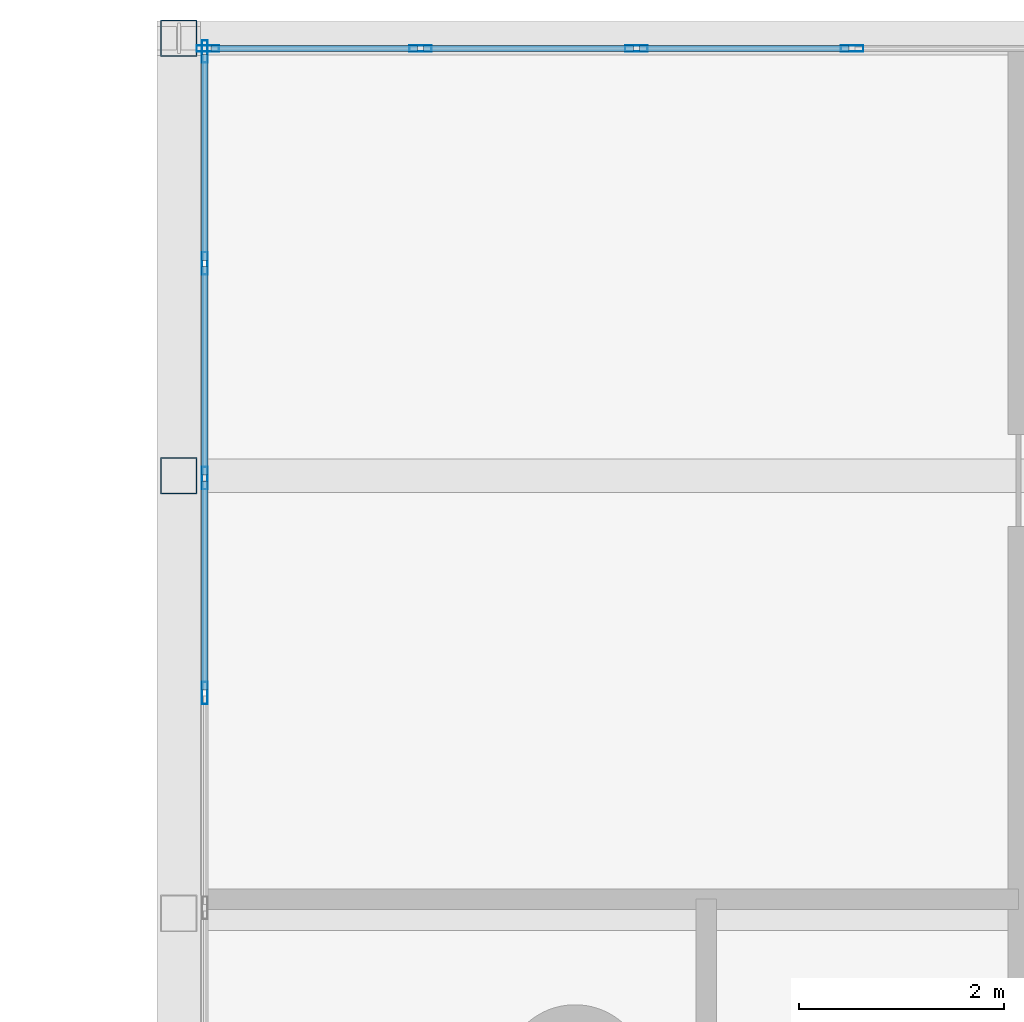
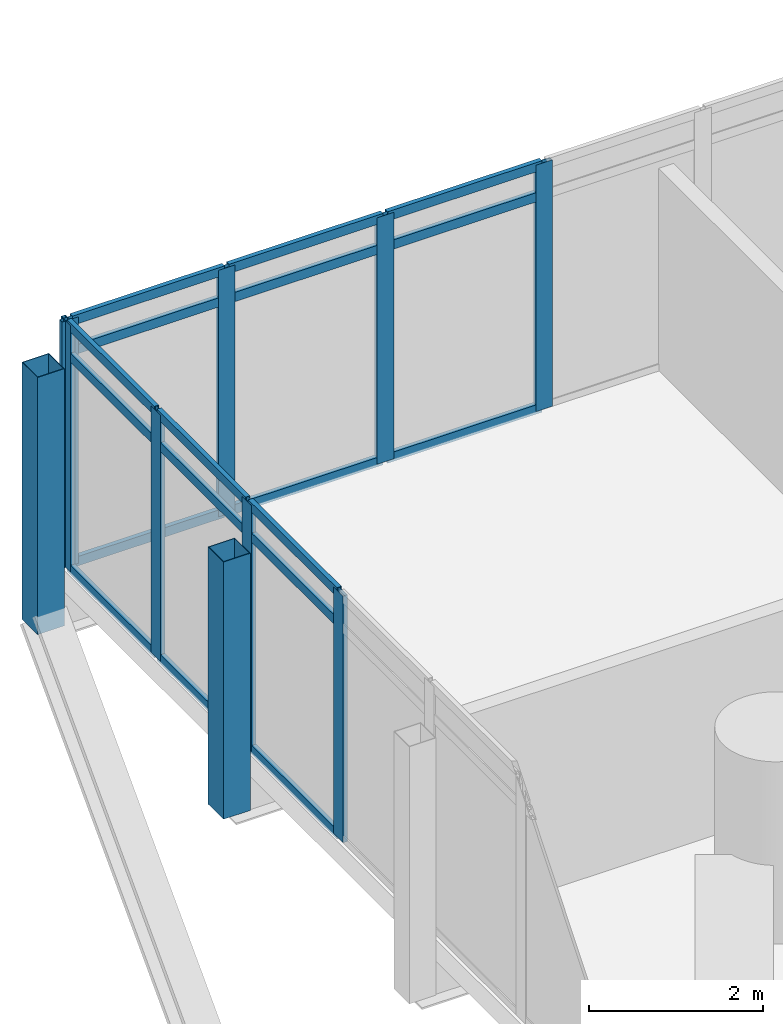
# One storey, part 18 of 38: 28 members, 2 elements without a shape of their own.
"""IFC4 building model written with IfcOpenShell, lengths in metres."""

from ifc_helpers import new_model, si_unit, direction, frame, origin, origin_2d, place, context, subcontext, project, spatial, hollow_rectangle, extrude, material, material_profile, profile_set, type_object, element, aggregate, save


model = new_model("IFC4")

# Units and contexts
model_context = context("Model", 3, precision=1e-05, world=origin(), true_north=direction((0.0, 1.0)))
body_context = subcontext(model_context, "Body", "Model", "MODEL_VIEW")
ifc_project = project(units=[si_unit("LENGTHUNIT", "METRE"), si_unit("AREAUNIT", "SQUARE_METRE"), si_unit("VOLUMEUNIT", "CUBIC_METRE"), si_unit("PLANEANGLEUNIT", "RADIAN"), si_unit("MASSUNIT", "GRAM", prefix="KILO")], contexts=[model_context])

# Site, building, storey
site_placement = place(None, origin())
site = spatial("IfcSite", under=ifc_project, at=site_placement, CompositionType="ELEMENT")
building_placement = place(site_placement, origin())
building = spatial("IfcBuilding", under=site, at=building_placement, Name="Ostrander Bayou Hotel Tower", CompositionType="ELEMENT")
storey_placement = place(building_placement, frame((0.0, 0.0, 65.5)))
storey = spatial("IfcBuildingStorey", under=building, at=storey_placement, Name="L16", CompositionType="ELEMENT", Elevation=65.5)

# Curtain wall, members
ifc_material_1 = material(Name="Aluminium and clear glass", Category="aluminium")
curtain_wall_type = type_object("IfcCurtainWallType", Name="CW-BAR glazed wall", PredefinedType="NOTDEFINED", material=ifc_material_1)
curtain_wall_1_placement = place(storey_placement, origin())
curtain_wall_1 = element("IfcCurtainWall", 1, at=curtain_wall_1_placement, inside=storey, type_object=curtain_wall_type, Name="CW-BAR L16:SB1N:E", PredefinedType="NOTDEFINED")
ifc_material_2 = material(Name="Aluminium", Category="aluminium")
ifc_material_profile_1 = material_profile(ifc_material_2, hollow_rectangle(XDim=0.06005859375, YDim=0.219970703125, WallThickness=0.00390625, at=origin_2d()))
ifc_profile_set_1 = profile_set([ifc_material_profile_1], Name="Aluminium")
member_type_1 = type_object("IfcMemberType", Name="CW-BR mullion 60 x 220 mm", PredefinedType="MULLION", material=ifc_profile_set_1)
member_1_placement = place(storey_placement, frame((-14.712158203125, 24.60888671875, 0.0), z_axis=(0.0, 0.0, 1.0), x_axis=(-1.0, 0.0, 0.0)))
member_1 = element("IfcMember", 2, at=member_1_placement, type_object=member_type_1, Name="CW-BAR mullion 6", PredefinedType="MULLION", context=body_context, shape_type="SweptSolid", body=[
    extrude(hollow_rectangle(XDim=0.06005859375, YDim=0.219970703125, WallThickness=0.00390625, at=origin_2d()), origin(), (0.0, 0.0, 1.0), 3.449951171875),
])
member_2_placement = place(storey_placement, frame((-14.712158203125, 26.701416015625, 0.0), z_axis=(0.0, 0.0, 1.0), x_axis=(-1.0, 0.0, 0.0)))
member_2 = element("IfcMember", 3, at=member_2_placement, type_object=member_type_1, Name="CW-BAR mullion 7", PredefinedType="MULLION", context=body_context, shape_type="SweptSolid", body=[
    extrude(hollow_rectangle(XDim=0.06005859375, YDim=0.219970703125, WallThickness=0.00390625, at=origin_2d()), origin(), (0.0, 0.0, 1.0), 3.449951171875),
])
member_3_placement = place(storey_placement, frame((-14.712158203125, 28.793701171875, 0.0), z_axis=(0.0, 0.0, 1.0), x_axis=(-1.0, 0.0, 0.0)))
member_3 = element("IfcMember", 4, at=member_3_placement, type_object=member_type_1, Name="CW-BAR mullion 8", PredefinedType="MULLION", context=body_context, shape_type="SweptSolid", body=[
    extrude(hollow_rectangle(XDim=0.06005859375, YDim=0.219970703125, WallThickness=0.00390625, at=origin_2d()), origin(), (0.0, 0.0, 1.0), 3.449951171875),
])
member_4_placement = place(storey_placement, frame((-14.712158203125, 30.856201171875, 0.0), z_axis=(0.0, 0.0, 1.0), x_axis=(-1.0, 0.0, 0.0)))
member_4 = element("IfcMember", 5, at=member_4_placement, type_object=member_type_1, Name="CW-BAR mullion 9", PredefinedType="MULLION", context=body_context, shape_type="SweptSolid", body=[
    extrude(hollow_rectangle(XDim=0.06005859375, YDim=0.219970703125, WallThickness=0.00390625, at=origin_2d()), origin(), (0.0, 0.0, 1.0), 3.449951171875),
])

curtain_wall_2_placement = place(storey_placement, origin())
curtain_wall_2 = element("IfcCurtainWall", 6, at=curtain_wall_2_placement, inside=storey, type_object=curtain_wall_type, Name="CW-BAR L16:SB1N:T", PredefinedType="NOTDEFINED")
member_5_placement = place(storey_placement, frame((-14.68212890625, 30.88623046875, 0.0), z_axis=(0.0, 0.0, 1.0), x_axis=(0.0, 1.0, 0.0)))
member_5 = element("IfcMember", 7, at=member_5_placement, type_object=member_type_1, Name="CW-BAR mullion 1", PredefinedType="MULLION", context=body_context, shape_type="SweptSolid", body=[
    extrude(hollow_rectangle(XDim=0.06005859375, YDim=0.219970703125, WallThickness=0.00390625, at=origin_2d()), origin(), (0.0, 0.0, 1.0), 3.449951171875),
])
member_6_placement = place(storey_placement, frame((-12.6103515625, 30.88623046875, 0.0), z_axis=(0.0, 0.0, 1.0), x_axis=(0.0, 1.0, 0.0)))
member_6 = element("IfcMember", 8, at=member_6_placement, type_object=member_type_1, Name="CW-BAR mullion 2", PredefinedType="MULLION", context=body_context, shape_type="SweptSolid", body=[
    extrude(hollow_rectangle(XDim=0.06005859375, YDim=0.219970703125, WallThickness=0.00390625, at=origin_2d()), origin(), (0.0, 0.0, 1.0), 3.449951171875),
])
member_7_placement = place(storey_placement, frame((-10.5087890625, 30.88623046875, 0.0), z_axis=(0.0, 0.0, 1.0), x_axis=(0.0, 1.0, 0.0)))
member_7 = element("IfcMember", 9, at=member_7_placement, type_object=member_type_1, Name="CW-BAR mullion 3", PredefinedType="MULLION", context=body_context, shape_type="SweptSolid", body=[
    extrude(hollow_rectangle(XDim=0.06005859375, YDim=0.219970703125, WallThickness=0.00390625, at=origin_2d()), origin(), (0.0, 0.0, 1.0), 3.449951171875),
])
member_8_placement = place(storey_placement, frame((-8.406982421875, 30.88623046875, 0.0), z_axis=(0.0, 0.0, 1.0), x_axis=(0.0, 1.0, 0.0)))
member_8 = element("IfcMember", 10, at=member_8_placement, type_object=member_type_1, Name="CW-BAR mullion 4", PredefinedType="MULLION", context=body_context, shape_type="SweptSolid", body=[
    extrude(hollow_rectangle(XDim=0.06005859375, YDim=0.219970703125, WallThickness=0.00390625, at=origin_2d()), origin(), (0.0, 0.0, 1.0), 3.449951171875),
])

# Member
ifc_material_3 = material(Name="Aluminium", Category="aluminium")
ifc_material_profile_2 = material_profile(ifc_material_3, hollow_rectangle(XDim=0.06005859375, YDim=0.1298828125, WallThickness=0.00390625, at=origin_2d()))
ifc_profile_set_2 = profile_set([ifc_material_profile_2], Name="Aluminium")
member_type_2 = type_object("IfcMemberType", Name="CW-BR transom 60 x 130 mm", PredefinedType="USERDEFINED", material=ifc_profile_set_2)
member_9_placement = place(storey_placement, frame((-14.712158203125, 24.638916015625, 0.030029296875), z_axis=(0.0, 1.0, 0.0), x_axis=(-1.0, 0.0, 0.0)))
member_9 = element("IfcMember", 11, at=member_9_placement, type_object=member_type_2, Name="CW-BAR transom 6.1", ObjectType="TRANSOM", PredefinedType="USERDEFINED", context=body_context, shape_type="SweptSolid", body=[
    extrude(hollow_rectangle(XDim=0.06005859375, YDim=0.1298828125, WallThickness=0.00390625, at=origin_2d()), origin(), (0.0, 0.0, 1.0), 2.032470703125),
])

member_10_placement = place(storey_placement, frame((-14.712158203125, 24.638916015625, 3.0), z_axis=(0.0, 1.0, 0.0), x_axis=(-1.0, 0.0, 0.0)))
member_10 = element("IfcMember", 12, at=member_10_placement, type_object=member_type_2, Name="CW-BAR transom 6.2", ObjectType="TRANSOM", PredefinedType="USERDEFINED", context=body_context, shape_type="SweptSolid", body=[
    extrude(hollow_rectangle(XDim=0.06005859375, YDim=0.1298828125, WallThickness=0.00390625, at=origin_2d()), origin(), (0.0, 0.0, 1.0), 2.032470703125),
])

member_11_placement = place(storey_placement, frame((-14.712158203125, 24.638916015625, 3.419921875), z_axis=(0.0, 1.0, 0.0), x_axis=(-1.0, 0.0, 0.0)))
member_11 = element("IfcMember", 13, at=member_11_placement, type_object=member_type_2, Name="CW-BAR transom 6.3", ObjectType="TRANSOM", PredefinedType="USERDEFINED", context=body_context, shape_type="SweptSolid", body=[
    extrude(hollow_rectangle(XDim=0.06005859375, YDim=0.1298828125, WallThickness=0.00390625, at=origin_2d()), origin(), (0.0, 0.0, 1.0), 2.032470703125),
])

member_12_placement = place(storey_placement, frame((-14.712158203125, 26.7314453125, 0.030029296875), z_axis=(0.0, 1.0, 0.0), x_axis=(-1.0, 0.0, 0.0)))
member_12 = element("IfcMember", 14, at=member_12_placement, type_object=member_type_2, Name="CW-BAR transom 7.1", ObjectType="TRANSOM", PredefinedType="USERDEFINED", context=body_context, shape_type="SweptSolid", body=[
    extrude(hollow_rectangle(XDim=0.06005859375, YDim=0.1298828125, WallThickness=0.00390625, at=origin_2d()), origin(), (0.0, 0.0, 1.0), 2.0322265625),
])

member_13_placement = place(storey_placement, frame((-14.712158203125, 26.7314453125, 3.0), z_axis=(0.0, 1.0, 0.0), x_axis=(-1.0, 0.0, 0.0)))
member_13 = element("IfcMember", 15, at=member_13_placement, type_object=member_type_2, Name="CW-BAR transom 7.2", ObjectType="TRANSOM", PredefinedType="USERDEFINED", context=body_context, shape_type="SweptSolid", body=[
    extrude(hollow_rectangle(XDim=0.06005859375, YDim=0.1298828125, WallThickness=0.00390625, at=origin_2d()), origin(), (0.0, 0.0, 1.0), 2.0322265625),
])

member_14_placement = place(storey_placement, frame((-14.712158203125, 26.7314453125, 3.419921875), z_axis=(0.0, 1.0, 0.0), x_axis=(-1.0, 0.0, 0.0)))
member_14 = element("IfcMember", 16, at=member_14_placement, type_object=member_type_2, Name="CW-BAR transom 7.3", ObjectType="TRANSOM", PredefinedType="USERDEFINED", context=body_context, shape_type="SweptSolid", body=[
    extrude(hollow_rectangle(XDim=0.06005859375, YDim=0.1298828125, WallThickness=0.00390625, at=origin_2d()), origin(), (0.0, 0.0, 1.0), 2.0322265625),
])

member_15_placement = place(storey_placement, frame((-14.712158203125, 28.82373046875, 0.030029296875), z_axis=(0.0, 1.0, 0.0), x_axis=(-1.0, 0.0, 0.0)))
member_15 = element("IfcMember", 17, at=member_15_placement, type_object=member_type_2, Name="CW-BAR transom 8.1", ObjectType="TRANSOM", PredefinedType="USERDEFINED", context=body_context, shape_type="SweptSolid", body=[
    extrude(hollow_rectangle(XDim=0.06005859375, YDim=0.1298828125, WallThickness=0.00390625, at=origin_2d()), origin(), (0.0, 0.0, 1.0), 2.00244140625),
])

member_16_placement = place(storey_placement, frame((-14.712158203125, 28.82373046875, 3.0), z_axis=(0.0, 1.0, 0.0), x_axis=(-1.0, 0.0, 0.0)))
member_16 = element("IfcMember", 18, at=member_16_placement, type_object=member_type_2, Name="CW-BAR transom 8.2", ObjectType="TRANSOM", PredefinedType="USERDEFINED", context=body_context, shape_type="SweptSolid", body=[
    extrude(hollow_rectangle(XDim=0.06005859375, YDim=0.1298828125, WallThickness=0.00390625, at=origin_2d()), origin(), (0.0, 0.0, 1.0), 2.00244140625),
])

member_17_placement = place(storey_placement, frame((-14.712158203125, 28.82373046875, 3.419921875), z_axis=(0.0, 1.0, 0.0), x_axis=(-1.0, 0.0, 0.0)))
member_17 = element("IfcMember", 19, at=member_17_placement, type_object=member_type_2, Name="CW-BAR transom 8.3", ObjectType="TRANSOM", PredefinedType="USERDEFINED", context=body_context, shape_type="SweptSolid", body=[
    extrude(hollow_rectangle(XDim=0.06005859375, YDim=0.1298828125, WallThickness=0.00390625, at=origin_2d()), origin(), (0.0, 0.0, 1.0), 2.00244140625),
])

aggregate(curtain_wall_1, [member_1, member_2, member_3, member_4, member_9, member_10, member_11, member_12, member_13, member_14, member_15, member_16, member_17])

member_18_placement = place(storey_placement, frame((-14.652099609375, 30.88623046875, 0.030029296875), z_axis=(1.0, 0.0, 0.0), x_axis=(0.0, 1.0, 0.0)))
member_18 = element("IfcMember", 20, at=member_18_placement, type_object=member_type_2, Name="CW-BAR transom 1.1", ObjectType="TRANSOM", PredefinedType="USERDEFINED", context=body_context, shape_type="SweptSolid", body=[
    extrude(hollow_rectangle(XDim=0.06005859375, YDim=0.1298828125, WallThickness=0.00390625, at=origin_2d()), origin(), (0.0, 0.0, 1.0), 2.01171875),
])

member_19_placement = place(storey_placement, frame((-14.652099609375, 30.88623046875, 3.0), z_axis=(1.0, 0.0, 0.0), x_axis=(0.0, 1.0, 0.0)))
member_19 = element("IfcMember", 21, at=member_19_placement, type_object=member_type_2, Name="CW-BAR transom 1.2", ObjectType="TRANSOM", PredefinedType="USERDEFINED", context=body_context, shape_type="SweptSolid", body=[
    extrude(hollow_rectangle(XDim=0.06005859375, YDim=0.1298828125, WallThickness=0.00390625, at=origin_2d()), origin(), (0.0, 0.0, 1.0), 2.01171875),
])

member_20_placement = place(storey_placement, frame((-14.652099609375, 30.88623046875, 3.419921875), z_axis=(1.0, 0.0, 0.0), x_axis=(0.0, 1.0, 0.0)))
member_20 = element("IfcMember", 22, at=member_20_placement, type_object=member_type_2, Name="CW-BAR transom 1.3", ObjectType="TRANSOM", PredefinedType="USERDEFINED", context=body_context, shape_type="SweptSolid", body=[
    extrude(hollow_rectangle(XDim=0.06005859375, YDim=0.1298828125, WallThickness=0.00390625, at=origin_2d()), origin(), (0.0, 0.0, 1.0), 2.01171875),
])

member_21_placement = place(storey_placement, frame((-12.58056640625, 30.88623046875, 0.030029296875), z_axis=(1.0, 0.0, 0.0), x_axis=(0.0, 1.0, 0.0)))
member_21 = element("IfcMember", 23, at=member_21_placement, type_object=member_type_2, Name="CW-BAR transom 2.1", ObjectType="TRANSOM", PredefinedType="USERDEFINED", context=body_context, shape_type="SweptSolid", body=[
    extrude(hollow_rectangle(XDim=0.06005859375, YDim=0.1298828125, WallThickness=0.00390625, at=origin_2d()), origin(), (0.0, 0.0, 1.0), 2.041748046875),
])

member_22_placement = place(storey_placement, frame((-12.58056640625, 30.88623046875, 3.0), z_axis=(1.0, 0.0, 0.0), x_axis=(0.0, 1.0, 0.0)))
member_22 = element("IfcMember", 24, at=member_22_placement, type_object=member_type_2, Name="CW-BAR transom 2.2", ObjectType="TRANSOM", PredefinedType="USERDEFINED", context=body_context, shape_type="SweptSolid", body=[
    extrude(hollow_rectangle(XDim=0.06005859375, YDim=0.1298828125, WallThickness=0.00390625, at=origin_2d()), origin(), (0.0, 0.0, 1.0), 2.041748046875),
])

member_23_placement = place(storey_placement, frame((-12.58056640625, 30.88623046875, 3.419921875), z_axis=(1.0, 0.0, 0.0), x_axis=(0.0, 1.0, 0.0)))
member_23 = element("IfcMember", 25, at=member_23_placement, type_object=member_type_2, Name="CW-BAR transom 2.3", ObjectType="TRANSOM", PredefinedType="USERDEFINED", context=body_context, shape_type="SweptSolid", body=[
    extrude(hollow_rectangle(XDim=0.06005859375, YDim=0.1298828125, WallThickness=0.00390625, at=origin_2d()), origin(), (0.0, 0.0, 1.0), 2.041748046875),
])

member_24_placement = place(storey_placement, frame((-10.478759765625, 30.88623046875, 0.030029296875), z_axis=(1.0, 0.0, 0.0), x_axis=(0.0, 1.0, 0.0)))
member_24 = element("IfcMember", 26, at=member_24_placement, type_object=member_type_2, Name="CW-BAR transom 3.1", ObjectType="TRANSOM", PredefinedType="USERDEFINED", context=body_context, shape_type="SweptSolid", body=[
    extrude(hollow_rectangle(XDim=0.06005859375, YDim=0.1298828125, WallThickness=0.00390625, at=origin_2d()), origin(), (0.0, 0.0, 1.0), 2.041748046875),
])

member_25_placement = place(storey_placement, frame((-10.478759765625, 30.88623046875, 3.0), z_axis=(1.0, 0.0, 0.0), x_axis=(0.0, 1.0, 0.0)))
member_25 = element("IfcMember", 27, at=member_25_placement, type_object=member_type_2, Name="CW-BAR transom 3.2", ObjectType="TRANSOM", PredefinedType="USERDEFINED", context=body_context, shape_type="SweptSolid", body=[
    extrude(hollow_rectangle(XDim=0.06005859375, YDim=0.1298828125, WallThickness=0.00390625, at=origin_2d()), origin(), (0.0, 0.0, 1.0), 2.041748046875),
])

member_26_placement = place(storey_placement, frame((-10.478759765625, 30.88623046875, 3.419921875), z_axis=(1.0, 0.0, 0.0), x_axis=(0.0, 1.0, 0.0)))
member_26 = element("IfcMember", 28, at=member_26_placement, type_object=member_type_2, Name="CW-BAR transom 3.3", ObjectType="TRANSOM", PredefinedType="USERDEFINED", context=body_context, shape_type="SweptSolid", body=[
    extrude(hollow_rectangle(XDim=0.06005859375, YDim=0.1298828125, WallThickness=0.00390625, at=origin_2d()), origin(), (0.0, 0.0, 1.0), 2.041748046875),
])

aggregate(curtain_wall_2, [member_5, member_6, member_7, member_8, member_18, member_19, member_20, member_21, member_22, member_23, member_24, member_25, member_26])

# Members
ifc_material_4 = material(Name="Steel ASTM A500 Gr C", Category="steel")
ifc_material_profile_3 = material_profile(ifc_material_4, hollow_rectangle(XDim=0.355712890625, YDim=0.355712890625, WallThickness=0.0087890625, at=origin_2d()))
ifc_profile_set_3 = profile_set([ifc_material_profile_3], Name="Steel ASTM A500 Gr C")
member_type_3 = type_object("IfcMemberType", Name="TH3 bar hanger HSS14x14x3/8", PredefinedType="POST", material=ifc_profile_set_3)
for number, where, z_axis, x_axis, name in (
    (29, (-14.965087890625, 30.986083984375, -0.771728515625), (0.0, 0.0, 1.0), (1.0, 0.0, 0.0), "TH3 SB1WA H1-1"),
    (30, (-14.965087890625, 26.723876953125, -0.771728515625), (0.0, 0.0, 1.0), (1.0, 0.0, 0.0), "TH3 SB1WA H2-1"),
):
    element("IfcMember", number, at=place(storey_placement, frame(where, z_axis=z_axis, x_axis=x_axis)), inside=storey, type_object=member_type_3, Name=name, PredefinedType="POST", context=body_context, shape_type="SweptSolid", body=[
        extrude(hollow_rectangle(XDim=0.355712890625, YDim=0.355712890625, WallThickness=0.0087890625, at=origin_2d()), origin(), (0.0, 0.0, 1.0), 3.599853515625),
    ])

save(model, "model.ifc")
